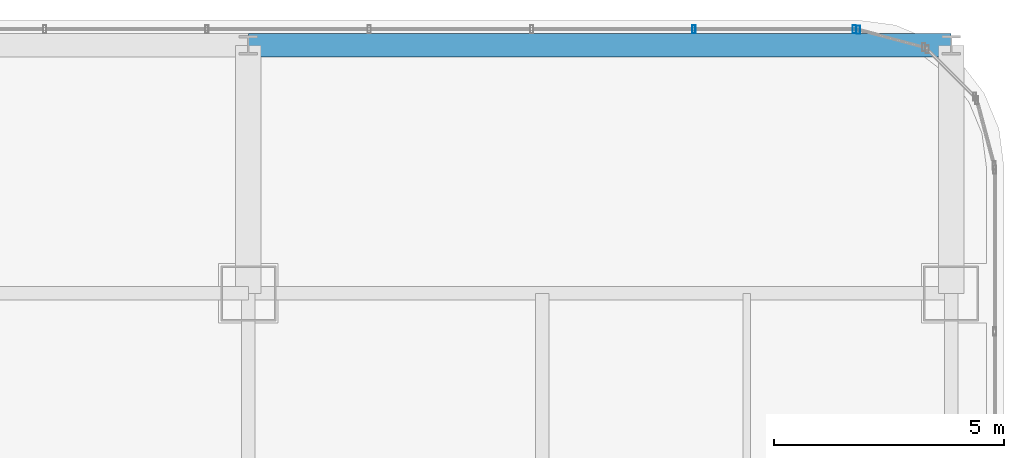
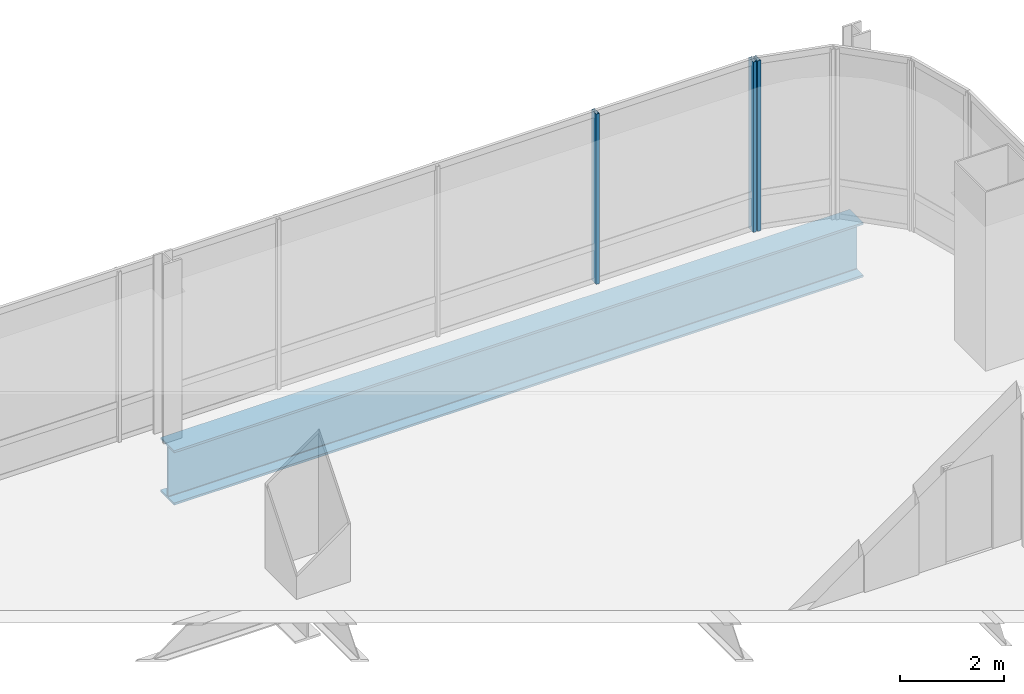
# One storey, part 30 of 41: 3 members, 1 beam, 2 elements without a shape of their own.
"""IFC4 building model written with IfcOpenShell, lengths in metres."""

from ifc_helpers import new_model, si_unit, direction, frame, origin, origin_2d, place, context, subcontext, project, spatial, hollow_rectangle, i_section, extrude, material, material_profile, profile_set, type_object, element, aggregate, save


model = new_model("IFC4")

# Units and contexts
model_context = context("Model", 3, precision=1e-05, world=origin(), true_north=direction((0.0, 1.0)))
body_context = subcontext(model_context, "Body", "Model", "MODEL_VIEW")
ifc_project = project(units=[si_unit("LENGTHUNIT", "METRE"), si_unit("AREAUNIT", "SQUARE_METRE"), si_unit("VOLUMEUNIT", "CUBIC_METRE"), si_unit("PLANEANGLEUNIT", "RADIAN"), si_unit("MASSUNIT", "GRAM", prefix="KILO")], contexts=[model_context])

# Site, building, storey
site_placement = place(None, origin())
site = spatial("IfcSite", under=ifc_project, at=site_placement, CompositionType="ELEMENT")
building_placement = place(site_placement, origin())
building = spatial("IfcBuilding", under=site, at=building_placement, Name="Punatoya Terracotta Tower", CompositionType="ELEMENT")
storey_placement = place(building_placement, frame((0.0, 0.0, 309.0)))
storey = spatial("IfcBuildingStorey", under=building, at=storey_placement, Name="L73", CompositionType="ELEMENT", Elevation=309.0)

# Beam
ifc_material_1 = material(Name="Steel S460", Category="steel")
ifc_material_profile_1 = material_profile(ifc_material_1, i_section(OverallWidth=0.52001953125, OverallDepth=1.280029296875, WebThickness=0.031982421875, FlangeThickness=0.050048828125, FilletRadius=0.01806640625, at=origin_2d()))
ifc_profile_set_1 = profile_set([ifc_material_profile_1], Name="Steel S460")
beam_type = type_object("IfcBeamType", Name="BM-TG-NCK", PredefinedType="BEAM", material=ifc_profile_set_1)
beam_placement = place(storey_placement, frame((3.800048828125, 22.89990234375, -0.840087890625), z_axis=(1.0, 0.0, 0.0), x_axis=(0.0, 1.0, 0.0)))
element("IfcBeam", 1, at=beam_placement, inside=storey, type_object=beam_type, Name="BM-L73-PER-N3", PredefinedType="BEAM", context=body_context, shape_type="SweptSolid", body=[
    extrude(i_section(OverallWidth=0.52001953125, OverallDepth=1.280029296875, WebThickness=0.031982421875, FlangeThickness=0.050048828125, FilletRadius=0.01806640625, at=origin_2d()), origin(), (0.0, 0.0, 1.0), 15.300048828125),
])

# Curtain wall, member
ifc_material_2 = material(Name="Aluminium 6063-T6 + Double Low-E Glass", Category="aluminium")
curtain_wall_type = type_object("IfcCurtainWallType", Name="CW-M3", PredefinedType="NOTDEFINED", material=ifc_material_2)
curtain_wall_1_placement = place(storey_placement, origin())
curtain_wall_1 = element("IfcCurtainWall", 2, at=curtain_wall_1_placement, inside=storey, type_object=curtain_wall_type, Name="L73 Curtain Wall CW-L73-CRN08", PredefinedType="NOTDEFINED")
ifc_material_3 = material(Name="Aluminium 6063-T6", Category="aluminium")
ifc_material_profile_2 = material_profile(ifc_material_3, hollow_rectangle(XDim=0.070068359375, YDim=0.179931640625, WallThickness=0.00390625, at=origin_2d()))
ifc_profile_set_2 = profile_set([ifc_material_profile_2], Name="Aluminium 6063-T6")
member_type = type_object("IfcMemberType", Name="CW-MUL-M3", PredefinedType="MULLION", material=ifc_profile_set_2)
member_1_placement = place(storey_placement, frame((17.080322265625, 23.23828125, 0.0), z_axis=(0.0, 0.0, 1.0), x_axis=(1.0, 0.0, 0.0)))
member_1 = element("IfcMember", 3, at=member_1_placement, type_object=member_type, Name="CW-L73-CRN08 Mullion 01", PredefinedType="MULLION", context=body_context, shape_type="SweptSolid", body=[
    extrude(hollow_rectangle(XDim=0.070068359375, YDim=0.179931640625, WallThickness=0.00390625, at=origin_2d()), origin(), (0.0, 0.0, 1.0), 4.0),
])
aggregate(curtain_wall_1, [member_1])

# Curtain wall, members
curtain_wall_2_placement = place(storey_placement, origin())
curtain_wall_2 = element("IfcCurtainWall", 4, at=curtain_wall_2_placement, inside=storey, type_object=curtain_wall_type, Name="L73 Curtain Wall CW-L73-N09-1", PredefinedType="NOTDEFINED")
member_2_placement = place(storey_placement, frame((16.991943359375, 23.25, 0.0), z_axis=(0.0, 0.0, 1.0), x_axis=(1.0, 0.0, 0.0)))
member_2 = element("IfcMember", 5, at=member_2_placement, type_object=member_type, Name="CW-L73-N09-1 Mullion 00", PredefinedType="MULLION", context=body_context, shape_type="SweptSolid", body=[
    extrude(hollow_rectangle(XDim=0.070068359375, YDim=0.179931640625, WallThickness=0.00390625, at=origin_2d()), origin(), (0.0, 0.0, 1.0), 4.0),
])
member_3_placement = place(storey_placement, frame((13.5029296875, 23.25, 0.0), z_axis=(0.0, 0.0, 1.0), x_axis=(1.0, 0.0, 0.0)))
member_3 = element("IfcMember", 6, at=member_3_placement, type_object=member_type, Name="CW-L73-N09-1 Mullion 01", PredefinedType="MULLION", context=body_context, shape_type="SweptSolid", body=[
    extrude(hollow_rectangle(XDim=0.070068359375, YDim=0.179931640625, WallThickness=0.00390625, at=origin_2d()), origin(), (0.0, 0.0, 1.0), 4.0),
])
aggregate(curtain_wall_2, [member_2, member_3])

save(model, "model.ifc")
